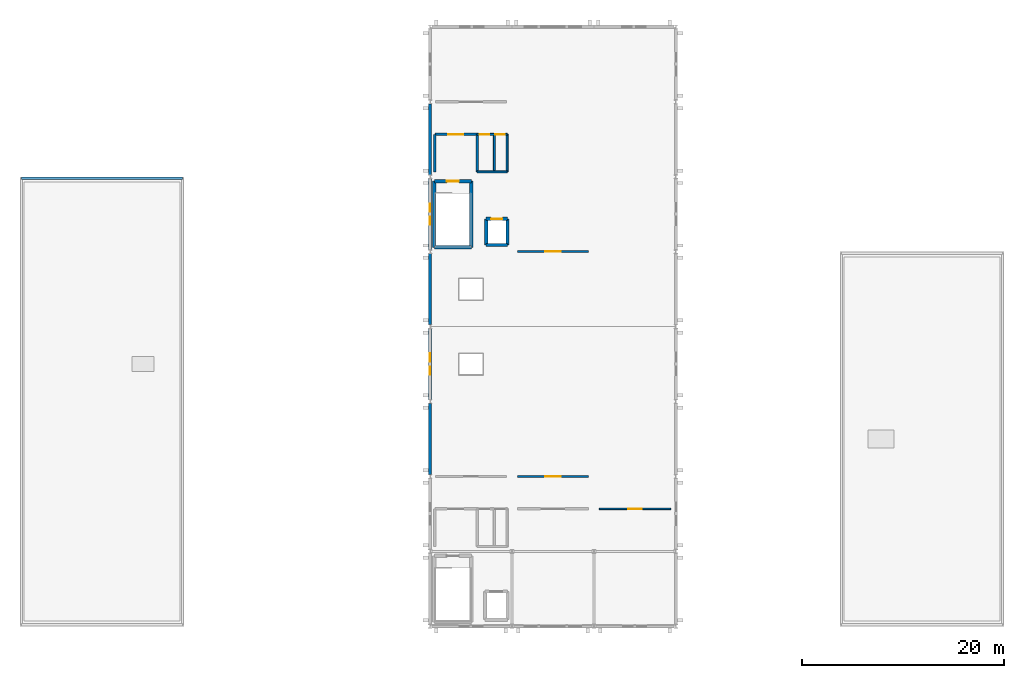
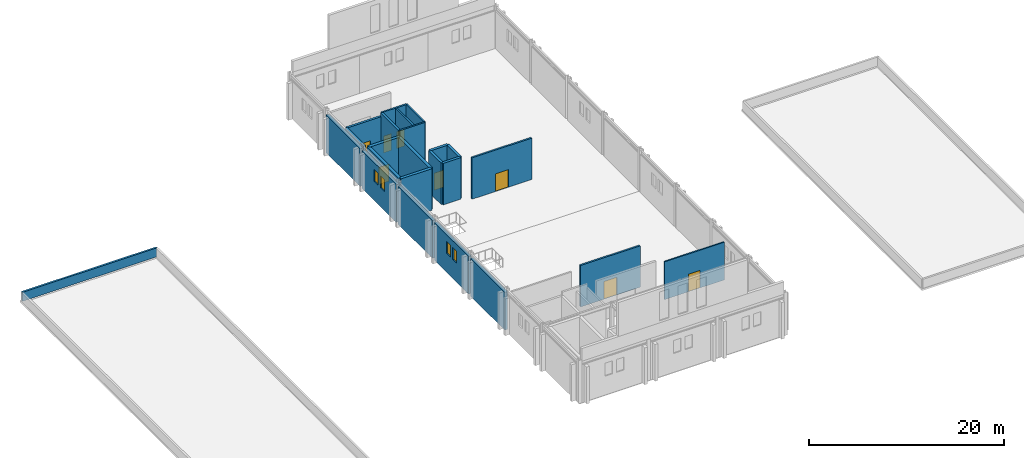
# One storey, part 7 of 10: 24 walls, 8 doors, 4 windows, 12 openings.
"""IFC4 building model written with IfcOpenShell, lengths in metres."""

from ifc_helpers import new_model, si_unit, direction, frame, frame_2d, origin, place, context, subcontext, project, spatial, rectangle, extrude, material, layer, layer_set, type_object, element, fill, save


model = new_model("IFC4")

# Units and contexts
model_context = context("Model", 3, precision=1e-05, world=origin(), true_north=direction((0.0, 1.0)))
body_context = subcontext(model_context, "Body", "Model", "MODEL_VIEW")
ifc_project = project(units=[si_unit("LENGTHUNIT", "METRE"), si_unit("AREAUNIT", "SQUARE_METRE"), si_unit("VOLUMEUNIT", "CUBIC_METRE"), si_unit("PLANEANGLEUNIT", "RADIAN"), si_unit("MASSUNIT", "GRAM", prefix="KILO")], contexts=[model_context])

# Site, building, storey
site_placement = place(None, origin())
site = spatial("IfcSite", under=ifc_project, at=site_placement, CompositionType="ELEMENT")
building_placement = place(site_placement, origin())
building = spatial("IfcBuilding", under=site, at=building_placement, Name="Cimatlan Art Gallery", CompositionType="ELEMENT")
storey_placement = place(building_placement, frame((0.0, 0.0, 21.0)))
storey = spatial("IfcBuildingStorey", under=building, at=storey_placement, Name="L05", CompositionType="ELEMENT", Elevation=21.0)

# Walls
ifc_material_1 = material(Name="Concrete C40/50", Category="concrete")
ifc_layer_1 = layer(ifc_material_1, 0.31005859375)
ifc_layer_set_1 = layer_set([ifc_layer_1], Name="Concrete C40/50")
wall_type_1 = type_object("IfcWallType", Name="W-CORE-310", PredefinedType="SHEAR", material=ifc_layer_set_1)
wall_1_placement = place(storey_placement, frame((80.449951171875, 61.550048828125, 0.0), z_axis=(0.0, 0.0, 1.0), x_axis=(0.0, 1.0, 0.0)))
element("IfcWall", 1, at=wall_1_placement, inside=storey, type_object=wall_type_1, Name="WL-SHFT-C6-L05-LW", PredefinedType="SHEAR", context=body_context, shape_type="SweptSolid", body=[
    extrude(rectangle(XDim=2.599853515625, YDim=0.31005859375, at=frame_2d((1.2998046875, 0.0))), origin(), (0.0, 0.0, 1.0), 5.18505859375),
])
wall_2_placement = place(storey_placement, frame((80.449951171875, 61.550048828125, 0.0), z_axis=(0.0, 0.0, 1.0), x_axis=(1.0, 0.0, 0.0)))
element("IfcWall", 2, at=wall_2_placement, inside=storey, type_object=wall_type_1, Name="WL-SHFT-C6-L05-LS", PredefinedType="SHEAR", context=body_context, shape_type="SweptSolid", body=[
    extrude(rectangle(XDim=2.10009765625, YDim=0.31005859375, at=frame_2d((1.050048828125, 0.0))), origin(), (0.0, 0.0, 1.0), 5.18505859375),
])
wall_3_placement = place(storey_placement, frame((82.550048828125, 61.550048828125, 0.0), z_axis=(0.0, 0.0, 1.0), x_axis=(0.0, 1.0, 0.0)))
element("IfcWall", 3, at=wall_3_placement, inside=storey, type_object=wall_type_1, Name="WL-SHFT-C6-L05-LE", PredefinedType="SHEAR", context=body_context, shape_type="SweptSolid", body=[
    extrude(rectangle(XDim=2.599853515625, YDim=0.31005859375, at=frame_2d((1.2998046875, 0.0))), origin(), (0.0, 0.0, 1.0), 5.18505859375),
])

# Wall, opening, door
wall_4_placement = place(storey_placement, frame((80.449951171875, 64.14990234375, 0.0), z_axis=(0.0, 0.0, 1.0), x_axis=(1.0, 0.0, 0.0)))
wall_4 = element("IfcWall", 4, at=wall_4_placement, inside=storey, type_object=wall_type_1, Name="WL-SHFT-C6-L05-LN", PredefinedType="SHEAR", context=body_context, shape_type="SweptSolid", body=[
    extrude(rectangle(XDim=2.10009765625, YDim=0.31005859375, at=frame_2d((1.050048828125, 0.0))), origin(), (0.0, 0.0, 1.0), 5.18505859375),
])
opening_1_placement = place(wall_4_placement, frame((0.5, 0.0, 0.0)))
opening_1 = element("IfcOpeningElement", 5, at=opening_1_placement, cuts=wall_4, Name="Opening LD-C6-L05", PredefinedType="OPENING", context=body_context, shape_type="SweptSolid", body=[
    extrude(rectangle(XDim=1.10009765625, YDim=2.14990234375, at=frame_2d((0.550048828125, 1.074951171875))), frame((0.0, 0.1650390625, 0.0), z_axis=(0.0, -1.0, 0.0), x_axis=(1.0, 0.0, 0.0)), (0.0, 0.0, 1.0), 0.330078125),
])
ifc_material_2 = material(Name="Brushed bronze sliding lift landing door")
door_type_1 = type_object("IfcDoorType", Name="LD-PS-1100", OperationType="NOTDEFINED", PredefinedType="DOOR", material=ifc_material_2)
door_1_placement = place(opening_1_placement, origin())
door_1 = element("IfcDoor", 6, at=door_1_placement, inside=storey, type_object=door_type_1, Name="LD-PL-03-L05", OperationType="SLIDING_TO_LEFT", OverallHeight=2.14990234375, OverallWidth=1.10009765625, PredefinedType="DOOR", context=body_context, shape_type="SweptSolid", body=[
    extrude(rectangle(XDim=1.10009765625, YDim=2.14990234375, at=frame_2d((0.550048828125, 1.074951171875))), frame((0.0, 0.02490234375, 0.0), z_axis=(0.0, -1.0, 0.0), x_axis=(1.0, 0.0, 0.0)), (0.0, 0.0, 1.0), 0.050048828125),
])
fill(opening_1, door_1)

# Walls
ifc_layer_2 = layer(ifc_material_1, 0.35009765625)
ifc_layer_set_2 = layer_set([ifc_layer_2], Name="Concrete C40/50")
wall_type_2 = type_object("IfcWallType", Name="W-CORE-350", PredefinedType="SHEAR", material=ifc_layer_set_2)
wall_5_placement = place(storey_placement, frame((75.340087890625, 61.340087890625, 0.0), z_axis=(0.0, 0.0, 1.0), x_axis=(0.0, 1.0, 0.0)))
element("IfcWall", 7, at=wall_5_placement, inside=storey, type_object=wall_type_2, Name="WL-CORE-C6-L05-SW", PredefinedType="SHEAR", context=body_context, shape_type="SweptSolid", body=[
    extrude(rectangle(XDim=6.52001953125, YDim=0.35009765625, at=frame_2d((3.260009765625, 0.0))), origin(), (0.0, 0.0, 1.0), 5.18505859375),
])
wall_6_placement = place(storey_placement, frame((75.340087890625, 61.340087890625, 0.0), z_axis=(0.0, 0.0, 1.0), x_axis=(1.0, 0.0, 0.0)))
element("IfcWall", 8, at=wall_6_placement, inside=storey, type_object=wall_type_2, Name="WL-CORE-C6-L05-SS", PredefinedType="SHEAR", context=body_context, shape_type="SweptSolid", body=[
    extrude(rectangle(XDim=3.639892578125, YDim=0.35009765625, at=frame_2d((1.81982421875, 0.0))), origin(), (0.0, 0.0, 1.0), 5.18505859375),
])
wall_7_placement = place(storey_placement, frame((78.97998046875, 61.340087890625, 0.0), z_axis=(0.0, 0.0, 1.0), x_axis=(0.0, 1.0, 0.0)))
element("IfcWall", 9, at=wall_7_placement, inside=storey, type_object=wall_type_2, Name="WL-CORE-C6-L05-SE", PredefinedType="SHEAR", context=body_context, shape_type="SweptSolid", body=[
    extrude(rectangle(XDim=6.52001953125, YDim=0.35009765625, at=frame_2d((3.260009765625, 0.0))), origin(), (0.0, 0.0, 1.0), 5.18505859375),
])

# Wall, opening, door
wall_8_placement = place(storey_placement, frame((75.340087890625, 67.860107421875, 0.0), z_axis=(0.0, 0.0, 1.0), x_axis=(1.0, 0.0, 0.0)))
wall_8 = element("IfcWall", 10, at=wall_8_placement, inside=storey, type_object=wall_type_2, Name="WL-CORE-C6-L05-SN", PredefinedType="SHEAR", context=body_context, shape_type="SweptSolid", body=[
    extrude(rectangle(XDim=3.639892578125, YDim=0.35009765625, at=frame_2d((1.81982421875, 0.0))), origin(), (0.0, 0.0, 1.0), 5.18505859375),
])
opening_2_placement = place(wall_8_placement, frame((1.219970703125, 0.0, 0.0)))
opening_2 = element("IfcOpeningElement", 11, at=opening_2_placement, cuts=wall_8, Name="Opening FD-C6-L05", PredefinedType="OPENING", context=body_context, shape_type="SweptSolid", body=[
    extrude(rectangle(XDim=1.199951171875, YDim=2.14990234375, at=frame_2d((0.60009765625, 1.074951171875))), frame((0.0, 0.18505859375, 0.0), z_axis=(0.0, -1.0, 0.0), x_axis=(1.0, 0.0, 0.0)), (0.0, 0.0, 1.0), 0.3701171875),
])
ifc_material_3 = material(Name="Fire-resisting steel acoustic stair door", Category="steel")
door_type_2 = type_object("IfcDoorType", Name="FD-ST-1200", OperationType="NOTDEFINED", PredefinedType="DOOR", material=ifc_material_3)
door_2_placement = place(opening_2_placement, origin())
door_2 = element("IfcDoor", 12, at=door_2_placement, inside=storey, type_object=door_type_2, Name="DR-C6-L05-ST", OperationType="SINGLE_SWING_LEFT", OverallHeight=2.14990234375, OverallWidth=1.199951171875, PredefinedType="DOOR", context=body_context, shape_type="SweptSolid", body=[
    extrude(rectangle(XDim=1.199951171875, YDim=2.14990234375, at=frame_2d((0.60009765625, 1.074951171875))), frame((0.0, 0.02490234375, 0.0), z_axis=(0.0, -1.0, 0.0), x_axis=(1.0, 0.0, 0.0)), (0.0, 0.0, 1.0), 0.050048828125),
])
fill(opening_2, door_2)

ifc_material_4 = material(Name="Precast concrete C40/50", Category="concrete")
ifc_layer_3 = layer(ifc_material_4, 0.2451171875)
ifc_layer_set_3 = layer_set([ifc_layer_3], Name="Precast concrete C40/50")
wall_type_3 = type_object("IfcWallType", Name="W-FFL-245", PredefinedType="PARTITIONING", material=ifc_layer_set_3)
wall_9_placement = place(storey_placement, frame((75.3798828125, 72.5, 0.0), z_axis=(0.0, 0.0, 1.0), x_axis=(1.0, 0.0, 0.0)))
wall_9 = element("IfcWall", 13, at=wall_9_placement, inside=storey, type_object=wall_type_3, Name="WL-LOB-C6-L05-N", PredefinedType="PARTITIONING", context=body_context, shape_type="SweptSolid", body=[
    extrude(rectangle(XDim=4.170166015625, YDim=0.2451171875, at=frame_2d((2.0849609375, 0.0))), origin(), (0.0, 0.0, 1.0), 4.722900390625),
])
opening_3_placement = place(wall_9_placement, frame((1.300048828125, 0.0, 0.0)))
opening_3 = element("IfcOpeningElement", 14, at=opening_3_placement, cuts=wall_9, Name="Opening FDL-C6-L05", PredefinedType="OPENING", context=body_context, shape_type="SweptSolid", body=[
    extrude(rectangle(XDim=1.5, YDim=2.14990234375, at=frame_2d((0.75, 1.074951171875))), frame((0.0, 0.132568359375, 0.0), z_axis=(0.0, -1.0, 0.0), x_axis=(1.0, 0.0, 0.0)), (0.0, 0.0, 1.0), 0.26513671875),
])
ifc_material_5 = material(Name="Fire-resisting double-seal lobby door")
door_type_3 = type_object("IfcDoorType", Name="FD-LB-1500", OperationType="NOTDEFINED", PredefinedType="DOOR", material=ifc_material_5)
door_3_placement = place(opening_3_placement, origin())
door_3 = element("IfcDoor", 15, at=door_3_placement, inside=storey, type_object=door_type_3, Name="DR-LOB-C6-L05", OperationType="SINGLE_SWING_RIGHT", OverallHeight=2.14990234375, OverallWidth=1.5, PredefinedType="DOOR", context=body_context, shape_type="SweptSolid", body=[
    extrude(rectangle(XDim=1.5, YDim=2.14990234375, at=frame_2d((0.75, 1.074951171875))), frame((0.0, 0.02490234375, 0.0), z_axis=(0.0, -1.0, 0.0), x_axis=(1.0, 0.0, 0.0)), (0.0, 0.0, 1.0), 0.050048828125),
])
fill(opening_3, door_3)

# Walls
wall_10_placement = place(storey_placement, frame((75.3798828125, 68.780029296875, 0.0), z_axis=(0.0, 0.0, 1.0), x_axis=(0.0, 1.0, 0.0)))
element("IfcWall", 16, at=wall_10_placement, inside=storey, type_object=wall_type_3, Name="WL-LOB-C6-L05-W", PredefinedType="PARTITIONING", context=body_context, shape_type="SweptSolid", body=[
    extrude(rectangle(XDim=3.719970703125, YDim=0.2451171875, at=frame_2d((1.85986328125, 0.0))), origin(), (0.0, 0.0, 1.0), 4.722900390625),
])
wall_11_placement = place(storey_placement, frame((79.550048828125, 68.780029296875, 0.0), z_axis=(0.0, 0.0, 1.0), x_axis=(0.0, 1.0, 0.0)))
element("IfcWall", 17, at=wall_11_placement, inside=storey, type_object=wall_type_3, Name="WL-LOB-C6-L05-M", PredefinedType="PARTITIONING", context=body_context, shape_type="SweptSolid", body=[
    extrude(rectangle(XDim=3.719970703125, YDim=0.2451171875, at=frame_2d((1.85986328125, 0.0))), origin(), (0.0, 0.0, 1.0), 5.175048828125),
])

# Wall, opening, door
ifc_material_6 = material(Name="Acoustic gypsum and steel stud partition", Category="steel")
ifc_layer_4 = layer(ifc_material_6, 0.205078125)
ifc_layer_set_4 = layer_set([ifc_layer_4], Name="Acoustic gypsum and steel stud partition")
wall_type_4 = type_object("IfcWallType", Name="W-GAL-205", PredefinedType="PARTITIONING", material=ifc_layer_set_4)
wall_12_placement = place(storey_placement, frame((83.52001953125, 38.699951171875, 0.0), z_axis=(0.0, 0.0, 1.0), x_axis=(1.0, 0.0, 0.0)))
wall_12 = element("IfcWall", 18, at=wall_12_placement, inside=storey, type_object=wall_type_4, Name="WL-RM-L05-GAL-CRW1", PredefinedType="PARTITIONING", context=body_context, shape_type="SweptSolid", body=[
    extrude(rectangle(XDim=7.06005859375, YDim=0.205078125, at=frame_2d((3.530029296875, 0.0))), origin(), (0.0, 0.0, 1.0), 5.175048828125),
])
opening_4_placement = place(wall_12_placement, frame((2.7548828125, 0.0, 0.0)))
opening_4 = element("IfcOpeningElement", 19, at=opening_4_placement, cuts=wall_12, Name="Opening DI-0276", PredefinedType="OPENING", context=body_context, shape_type="SweptSolid", body=[
    extrude(rectangle(XDim=1.550048828125, YDim=2.199951171875, at=frame_2d((0.77490234375, 1.10009765625))), frame((0.0, 0.112548828125, 0.0), z_axis=(0.0, -1.0, 0.0), x_axis=(1.0, 0.0, 0.0)), (0.0, 0.0, 1.0), 0.22509765625),
])
ifc_material_7 = material(Name="European oak upper gallery door")
door_type_4 = type_object("IfcDoorType", Name="DI-GL-1550", OperationType="NOTDEFINED", PredefinedType="DOOR", material=ifc_material_7)
door_4_placement = place(opening_4_placement, origin())
door_4 = element("IfcDoor", 20, at=door_4_placement, inside=storey, type_object=door_type_4, Name="DR-RM-L05-GAL-CRW1", OperationType="SINGLE_SWING_RIGHT", OverallHeight=2.199951171875, OverallWidth=1.550048828125, PredefinedType="DOOR", context=body_context, shape_type="SweptSolid", body=[
    extrude(rectangle(XDim=1.550048828125, YDim=2.199951171875, at=frame_2d((0.77490234375, 1.10009765625))), frame((0.0, 0.02490234375, 0.0), z_axis=(0.0, -1.0, 0.0), x_axis=(1.0, 0.0, 0.0)), (0.0, 0.0, 1.0), 0.050048828125),
])
fill(opening_4, door_4)

wall_13_placement = place(storey_placement, frame((83.52001953125, 60.89990234375, 0.0), z_axis=(0.0, 0.0, 1.0), x_axis=(1.0, 0.0, 0.0)))
wall_13 = element("IfcWall", 21, at=wall_13_placement, inside=storey, type_object=wall_type_4, Name="WL-RM-L05-GAL-CRW2", PredefinedType="PARTITIONING", context=body_context, shape_type="SweptSolid", body=[
    extrude(rectangle(XDim=7.06005859375, YDim=0.205078125, at=frame_2d((3.530029296875, 0.0))), origin(), (0.0, 0.0, 1.0), 5.175048828125),
])
opening_5_placement = place(wall_13_placement, frame((2.7548828125, 0.0, 0.0)))
opening_5 = element("IfcOpeningElement", 22, at=opening_5_placement, cuts=wall_13, Name="Opening DI-0278", PredefinedType="OPENING", context=body_context, shape_type="SweptSolid", body=[
    extrude(rectangle(XDim=1.550048828125, YDim=2.199951171875, at=frame_2d((0.77490234375, 1.10009765625))), frame((0.0, 0.112548828125, 0.0), z_axis=(0.0, -1.0, 0.0), x_axis=(1.0, 0.0, 0.0)), (0.0, 0.0, 1.0), 0.22509765625),
])
door_5_placement = place(opening_5_placement, origin())
door_5 = element("IfcDoor", 23, at=door_5_placement, inside=storey, type_object=door_type_4, Name="DR-RM-L05-GAL-CRW2", OperationType="SINGLE_SWING_RIGHT", OverallHeight=2.199951171875, OverallWidth=1.550048828125, PredefinedType="DOOR", context=body_context, shape_type="SweptSolid", body=[
    extrude(rectangle(XDim=1.550048828125, YDim=2.199951171875, at=frame_2d((0.77490234375, 1.10009765625))), frame((0.0, 0.02490234375, 0.0), z_axis=(0.0, -1.0, 0.0), x_axis=(1.0, 0.0, 0.0)), (0.0, 0.0, 1.0), 0.050048828125),
])
fill(opening_5, door_5)

ifc_layer_5 = layer(ifc_material_6, 0.159912109375)
ifc_layer_set_5 = layer_set([ifc_layer_5], Name="Acoustic gypsum and steel stud partition")
wall_type_5 = type_object("IfcWallType", Name="W-LRN-160", PredefinedType="PARTITIONING", material=ifc_layer_set_5)
wall_14_placement = place(storey_placement, frame((91.6201171875, 35.5, 0.0), z_axis=(0.0, 0.0, 1.0), x_axis=(1.0, 0.0, 0.0)))
wall_14 = element("IfcWall", 24, at=wall_14_placement, inside=storey, type_object=wall_type_5, Name="WL-RM-L05-LRN-CRW", PredefinedType="PARTITIONING", context=body_context, shape_type="SweptSolid", body=[
    extrude(rectangle(XDim=7.059814453125, YDim=0.159912109375, at=frame_2d((3.52978515625, 0.0))), origin(), (0.0, 0.0, 1.0), 4.722900390625),
])
opening_6_placement = place(wall_14_placement, frame((2.85498046875, 0.0, 0.0)))
opening_6 = element("IfcOpeningElement", 25, at=opening_6_placement, cuts=wall_14, Name="Opening DI-0275", PredefinedType="OPENING", context=body_context, shape_type="SweptSolid", body=[
    extrude(rectangle(XDim=1.35009765625, YDim=2.199951171875, at=frame_2d((0.675048828125, 1.10009765625))), frame((0.0, 0.08984375, 0.0), z_axis=(0.0, -1.0, 0.0), x_axis=(1.0, 0.0, 0.0)), (0.0, 0.0, 1.0), 0.179931640625),
])
ifc_material_8 = material(Name="Oak learning-centre workshop door")
door_type_5 = type_object("IfcDoorType", Name="DI-LN-1350", OperationType="NOTDEFINED", PredefinedType="DOOR", material=ifc_material_8)
door_6_placement = place(opening_6_placement, origin())
door_6 = element("IfcDoor", 26, at=door_6_placement, inside=storey, type_object=door_type_5, Name="DR-RM-L05-LRN-CRW", OperationType="SINGLE_SWING_LEFT", OverallHeight=2.199951171875, OverallWidth=1.35009765625, PredefinedType="DOOR", context=body_context, shape_type="SweptSolid", body=[
    extrude(rectangle(XDim=1.35009765625, YDim=2.199951171875, at=frame_2d((0.675048828125, 1.10009765625))), frame((0.0, 0.02490234375, 0.0), z_axis=(0.0, -1.0, 0.0), x_axis=(1.0, 0.0, 0.0)), (0.0, 0.0, 1.0), 0.050048828125),
])
fill(opening_6, door_6)

# Walls
ifc_material_9 = material(Name="Moisture-resistant fire-rated plumbing wall")
ifc_layer_6 = layer(ifc_material_9, 0.195068359375)
ifc_layer_set_6 = layer_set([ifc_layer_6], Name="Moisture-resistant fire-rated plumbing wall")
wall_type_6 = type_object("IfcWallType", Name="W-PLM-195", PredefinedType="PARTITIONING", material=ifc_layer_set_6)
for number, where, z_axis, x_axis, name in (
    (27, (81.25, 68.780029296875, 0.0), (0.0, 0.0, 1.0), (0.0, 1.0, 0.0), "WL-LOB-C6-L05-D"),
    (28, (82.52001953125, 68.780029296875, 0.0), (0.0, 0.0, 1.0), (0.0, 1.0, 0.0), "WL-LOB-C6-L05-E"),
):
    element("IfcWall", number, at=place(storey_placement, frame(where, z_axis=z_axis, x_axis=x_axis)), inside=storey, type_object=wall_type_6, Name=name, PredefinedType="PARTITIONING", context=body_context, shape_type="SweptSolid", body=[
        extrude(rectangle(XDim=3.719970703125, YDim=0.195068359375, at=frame_2d((1.85986328125, 0.0))), origin(), (0.0, 0.0, 1.0), 5.175048828125),
    ])
wall_15_placement = place(storey_placement, frame((79.550048828125, 68.780029296875, 0.0), z_axis=(0.0, 0.0, 1.0), x_axis=(1.0, 0.0, 0.0)))
element("IfcWall", 29, at=wall_15_placement, inside=storey, type_object=wall_type_6, Name="WL-LOB-C6-L05-S", PredefinedType="PARTITIONING", context=body_context, shape_type="SweptSolid", body=[
    extrude(rectangle(XDim=2.969970703125, YDim=0.195068359375, at=frame_2d((1.48486328125, 0.0))), origin(), (0.0, 0.0, 1.0), 5.175048828125),
])

# Wall, openings, doors
wall_16_placement = place(storey_placement, frame((79.550048828125, 72.5, 0.0), z_axis=(0.0, 0.0, 1.0), x_axis=(1.0, 0.0, 0.0)))
wall_16 = element("IfcWall", 30, at=wall_16_placement, inside=storey, type_object=wall_type_6, Name="WL-WC-C6-L05-N", PredefinedType="PARTITIONING", context=body_context, shape_type="SweptSolid", body=[
    extrude(rectangle(XDim=2.969970703125, YDim=0.195068359375, at=frame_2d((1.48486328125, 0.0))), origin(), (0.0, 0.0, 1.0), 5.175048828125),
])
opening_7_placement = place(wall_16_placement, frame((0.25, 0.0, 0.0)))
opening_7 = element("IfcOpeningElement", 31, at=opening_7_placement, cuts=wall_16, Name="Opening DWC-C6A-L05", PredefinedType="OPENING", context=body_context, shape_type="SweptSolid", body=[
    extrude(rectangle(XDim=0.949951171875, YDim=2.10009765625, at=frame_2d((0.47509765625, 1.050048828125))), frame((0.0, 0.107421875, 0.0), z_axis=(0.0, -1.0, 0.0), x_axis=(1.0, 0.0, 0.0)), (0.0, 0.0, 1.0), 0.215087890625),
])
opening_8_placement = place(wall_16_placement, frame((1.820068359375, 0.0, 0.0)))
opening_8 = element("IfcOpeningElement", 32, at=opening_8_placement, cuts=wall_16, Name="Opening DWC-C6B-L05", PredefinedType="OPENING", context=body_context, shape_type="SweptSolid", body=[
    extrude(rectangle(XDim=0.89990234375, YDim=2.10009765625, at=frame_2d((0.449951171875, 1.050048828125))), frame((0.0, 0.107421875, 0.0), z_axis=(0.0, -1.0, 0.0), x_axis=(1.0, 0.0, 0.0)), (0.0, 0.0, 1.0), 0.215087890625),
])
ifc_material_10 = material(Name="Sanitary room door")
door_type_6 = type_object("IfcDoorType", Name="DI-WC-0900", OperationType="NOTDEFINED", PredefinedType="DOOR", material=ifc_material_10)
door_7_placement = place(opening_8_placement, origin())
door_7 = element("IfcDoor", 33, at=door_7_placement, inside=storey, type_object=door_type_6, Name="DR-PWC-C6-L05", OperationType="SINGLE_SWING_RIGHT", OverallHeight=2.10009765625, OverallWidth=0.89990234375, PredefinedType="DOOR", context=body_context, shape_type="SweptSolid", body=[
    extrude(rectangle(XDim=0.89990234375, YDim=2.10009765625, at=frame_2d((0.449951171875, 1.050048828125))), frame((0.0, 0.02490234375, 0.0), z_axis=(0.0, -1.0, 0.0), x_axis=(1.0, 0.0, 0.0)), (0.0, 0.0, 1.0), 0.050048828125),
])
fill(opening_8, door_7)
ifc_material_11 = material(Name="Accessible sanitary room door")
door_type_7 = type_object("IfcDoorType", Name="DI-WC-0950", OperationType="NOTDEFINED", PredefinedType="DOOR", material=ifc_material_11)
door_8_placement = place(opening_7_placement, origin())
door_8 = element("IfcDoor", 34, at=door_8_placement, inside=storey, type_object=door_type_7, Name="DR-AWC-C6-L05", OperationType="SINGLE_SWING_LEFT", OverallHeight=2.10009765625, OverallWidth=0.949951171875, PredefinedType="DOOR", context=body_context, shape_type="SweptSolid", body=[
    extrude(rectangle(XDim=0.949951171875, YDim=2.10009765625, at=frame_2d((0.47509765625, 1.050048828125))), frame((0.0, 0.02490234375, 0.0), z_axis=(0.0, -1.0, 0.0), x_axis=(1.0, 0.0, 0.0)), (0.0, 0.0, 1.0), 0.050048828125),
])
fill(opening_7, door_8)

# Wall
ifc_layer_7 = layer(ifc_material_4, 0.340087890625)
ifc_layer_set_7 = layer_set([ifc_layer_7], Name="Precast concrete C40/50")
wall_type_7 = type_object("IfcWallType", Name="WL-EXT-STD-340", PredefinedType="SOLIDWALL", material=ifc_layer_set_7)
wall_17_placement = place(storey_placement, frame((74.89990234375, 38.89208984375, 0.0), z_axis=(0.0, 0.0, 1.0), x_axis=(0.0, 1.0, 0.0)))
element("IfcWall", 35, at=wall_17_placement, inside=storey, type_object=wall_type_7, Name="WL-EXT-L05-09-05-W", PredefinedType="SOLIDWALL", context=body_context, shape_type="SweptSolid", body=[
    extrude(rectangle(XDim=7.015869140625, YDim=0.340087890625, at=frame_2d((3.5078125, 0.0))), origin(), (0.0, 0.0, 1.0), 4.718017578125),
])

# Wall, openings, windows
wall_18_placement = place(storey_placement, frame((74.89990234375, 46.2919921875, 0.0), z_axis=(0.0, 0.0, 1.0), x_axis=(0.0, 1.0, 0.0)))
wall_18 = element("IfcWall", 36, at=wall_18_placement, inside=storey, type_object=wall_type_7, Name="WL-EXT-L05-09-06-W", PredefinedType="SOLIDWALL", context=body_context, shape_type="SweptSolid", body=[
    extrude(rectangle(XDim=7.01611328125, YDim=0.340087890625, at=frame_2d((3.508056640625, 0.0))), origin(), (0.0, 0.0, 1.0), 4.718017578125),
])
opening_9_placement = place(wall_18_placement, frame((2.447998046875, 0.0, 2.35009765625)))
opening_9 = element("IfcOpeningElement", 37, at=opening_9_placement, cuts=wall_18, Name="Opening WN-0399", PredefinedType="OPENING", context=body_context, shape_type="SweptSolid", body=[
    extrude(rectangle(XDim=0.820068359375, YDim=1.5400390625, at=frame_2d((0.41015625, 0.77001953125))), frame((0.0, 0.18017578125, 0.0), z_axis=(0.0, -1.0, 0.0), x_axis=(1.0, 0.0, 0.0)), (0.0, 0.0, 1.0), 0.360107421875),
])
opening_10_placement = place(wall_18_placement, frame((3.748046875, 0.0, 2.35009765625)))
opening_10 = element("IfcOpeningElement", 38, at=opening_10_placement, cuts=wall_18, Name="Opening WN-0400", PredefinedType="OPENING", context=body_context, shape_type="SweptSolid", body=[
    extrude(rectangle(XDim=0.820068359375, YDim=1.5400390625, at=frame_2d((0.41015625, 0.77001953125))), frame((0.0, 0.18017578125, 0.0), z_axis=(0.0, -1.0, 0.0), x_axis=(1.0, 0.0, 0.0)), (0.0, 0.0, 1.0), 0.360107421875),
])
ifc_material_12 = material(Name="Low-E laminated double glazing in bronze lancet frame", Category="glass")
window_type = type_object("IfcWindowType", Name="WIN-CLR-W-0820X1540", PartitioningType="SINGLE_PANEL", PredefinedType="WINDOW", material=ifc_material_12)
window_1_placement = place(opening_9_placement, origin())
window_1 = element("IfcWindow", 39, at=window_1_placement, inside=storey, type_object=window_type, Name="WIN-0399", OverallHeight=1.5400390625, OverallWidth=0.820068359375, PartitioningType="SINGLE_PANEL", PredefinedType="WINDOW", context=body_context, shape_type="SweptSolid", body=[
    extrude(rectangle(XDim=0.820068359375, YDim=1.5400390625, at=frame_2d((0.41015625, 0.77001953125))), frame((0.0, 0.030029296875, 0.0), z_axis=(0.0, -1.0, 0.0), x_axis=(1.0, 0.0, 0.0)), (0.0, 0.0, 1.0), 0.06005859375),
])
fill(opening_9, window_1)
window_2_placement = place(opening_10_placement, origin())
window_2 = element("IfcWindow", 40, at=window_2_placement, inside=storey, type_object=window_type, Name="WIN-0400", OverallHeight=1.5400390625, OverallWidth=0.820068359375, PartitioningType="SINGLE_PANEL", PredefinedType="WINDOW", context=body_context, shape_type="SweptSolid", body=[
    extrude(rectangle(XDim=0.820068359375, YDim=1.5400390625, at=frame_2d((0.41015625, 0.77001953125))), frame((0.0, 0.030029296875, 0.0), z_axis=(0.0, -1.0, 0.0), x_axis=(1.0, 0.0, 0.0)), (0.0, 0.0, 1.0), 0.06005859375),
])
fill(opening_10, window_2)

# Wall
wall_19_placement = place(storey_placement, frame((74.89990234375, 53.69189453125, 0.0), z_axis=(0.0, 0.0, 1.0), x_axis=(0.0, 1.0, 0.0)))
element("IfcWall", 41, at=wall_19_placement, inside=storey, type_object=wall_type_7, Name="WL-EXT-L05-09-07-W", PredefinedType="SOLIDWALL", context=body_context, shape_type="SweptSolid", body=[
    extrude(rectangle(XDim=7.01611328125, YDim=0.340087890625, at=frame_2d((3.508056640625, 0.0))), origin(), (0.0, 0.0, 1.0), 4.718017578125),
])

# Wall, openings, windows
wall_20_placement = place(storey_placement, frame((74.89990234375, 61.092041015625, 0.0), z_axis=(0.0, 0.0, 1.0), x_axis=(0.0, 1.0, 0.0)))
wall_20 = element("IfcWall", 42, at=wall_20_placement, inside=storey, type_object=wall_type_7, Name="WL-EXT-L05-09-08-W", PredefinedType="SOLIDWALL", context=body_context, shape_type="SweptSolid", body=[
    extrude(rectangle(XDim=7.015869140625, YDim=0.340087890625, at=frame_2d((3.5078125, 0.0))), origin(), (0.0, 0.0, 1.0), 4.718017578125),
])
opening_11_placement = place(wall_20_placement, frame((2.447998046875, 0.0, 2.35009765625)))
opening_11 = element("IfcOpeningElement", 43, at=opening_11_placement, cuts=wall_20, Name="Opening WN-0401", PredefinedType="OPENING", context=body_context, shape_type="SweptSolid", body=[
    extrude(rectangle(XDim=0.820068359375, YDim=1.5400390625, at=frame_2d((0.41015625, 0.77001953125))), frame((0.0, 0.18017578125, 0.0), z_axis=(0.0, -1.0, 0.0), x_axis=(1.0, 0.0, 0.0)), (0.0, 0.0, 1.0), 0.360107421875),
])
opening_12_placement = place(wall_20_placement, frame((3.748046875, 0.0, 2.35009765625)))
opening_12 = element("IfcOpeningElement", 44, at=opening_12_placement, cuts=wall_20, Name="Opening WN-0402", PredefinedType="OPENING", context=body_context, shape_type="SweptSolid", body=[
    extrude(rectangle(XDim=0.820068359375, YDim=1.5400390625, at=frame_2d((0.41015625, 0.77001953125))), frame((0.0, 0.18017578125, 0.0), z_axis=(0.0, -1.0, 0.0), x_axis=(1.0, 0.0, 0.0)), (0.0, 0.0, 1.0), 0.360107421875),
])
window_3_placement = place(opening_11_placement, origin())
window_3 = element("IfcWindow", 45, at=window_3_placement, inside=storey, type_object=window_type, Name="WIN-0401", OverallHeight=1.5400390625, OverallWidth=0.820068359375, PartitioningType="SINGLE_PANEL", PredefinedType="WINDOW", context=body_context, shape_type="SweptSolid", body=[
    extrude(rectangle(XDim=0.820068359375, YDim=1.5400390625, at=frame_2d((0.41015625, 0.77001953125))), frame((0.0, 0.030029296875, 0.0), z_axis=(0.0, -1.0, 0.0), x_axis=(1.0, 0.0, 0.0)), (0.0, 0.0, 1.0), 0.06005859375),
])
fill(opening_11, window_3)
window_4_placement = place(opening_12_placement, origin())
window_4 = element("IfcWindow", 46, at=window_4_placement, inside=storey, type_object=window_type, Name="WIN-0402", OverallHeight=1.5400390625, OverallWidth=0.820068359375, PartitioningType="SINGLE_PANEL", PredefinedType="WINDOW", context=body_context, shape_type="SweptSolid", body=[
    extrude(rectangle(XDim=0.820068359375, YDim=1.5400390625, at=frame_2d((0.41015625, 0.77001953125))), frame((0.0, 0.030029296875, 0.0), z_axis=(0.0, -1.0, 0.0), x_axis=(1.0, 0.0, 0.0)), (0.0, 0.0, 1.0), 0.06005859375),
])
fill(opening_12, window_4)

# Walls
wall_21_placement = place(storey_placement, frame((74.89990234375, 68.491943359375, 0.0), z_axis=(0.0, 0.0, 1.0), x_axis=(0.0, 1.0, 0.0)))
element("IfcWall", 47, at=wall_21_placement, inside=storey, type_object=wall_type_7, Name="WL-EXT-L05-09-09-W", PredefinedType="SOLIDWALL", context=body_context, shape_type="SweptSolid", body=[
    extrude(rectangle(XDim=7.01611328125, YDim=0.340087890625, at=frame_2d((3.508056640625, 0.0))), origin(), (0.0, 0.0, 1.0), 4.718017578125),
])
ifc_layer_8 = layer(ifc_material_4, 0.22509765625)
ifc_layer_set_8 = layer_set([ifc_layer_8], Name="Precast concrete C40/50")
wall_type_8 = type_object("IfcWallType", Name="WL-PAR-225", PredefinedType="PARAPET", material=ifc_layer_set_8)
wall_22_placement = place(storey_placement, frame((50.449951171875, 68.14990234375, 0.0), z_axis=(0.0, 0.0, 1.0), x_axis=(-1.0, 0.0, 0.0)))
element("IfcWall", 48, at=wall_22_placement, inside=storey, type_object=wall_type_8, Name="WL-PAR-011", PredefinedType="PARAPET", context=body_context, shape_type="SweptSolid", body=[
    extrude(rectangle(XDim=15.89990234375, YDim=0.22509765625, at=frame_2d((7.949951171875, 0.0))), origin(), (0.0, 0.0, 1.0), 1.1201171875),
])

save(model, "model.ifc")
